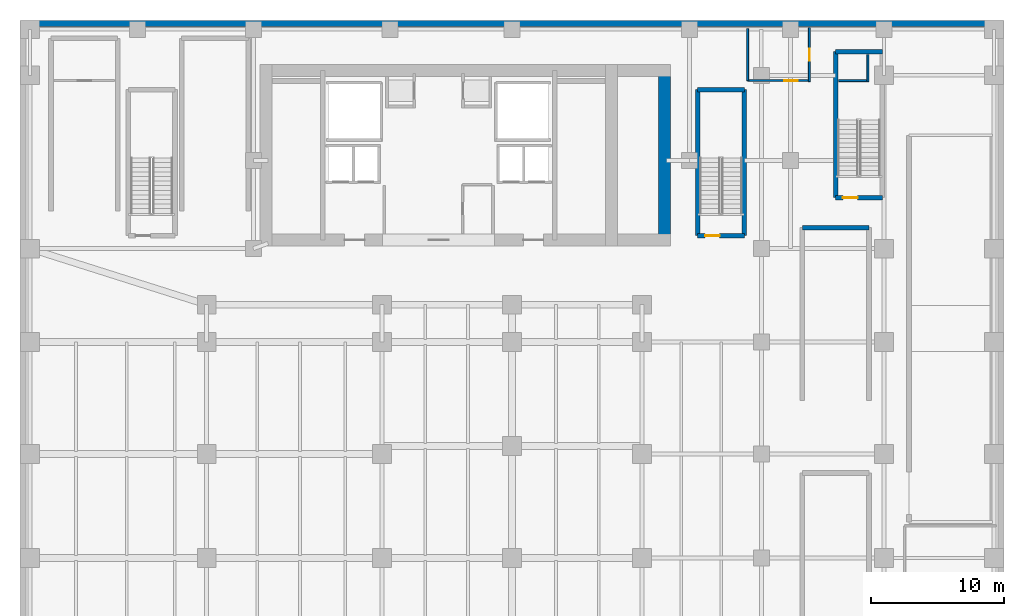
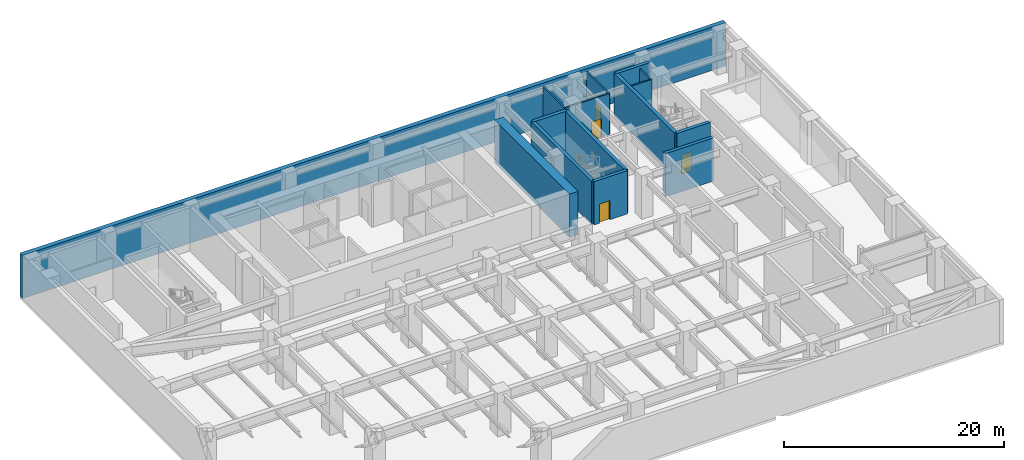
# One storey, part 5 of 9: 15 walls, 4 doors, 4 openings.
"""IFC4 building model written with IfcOpenShell, lengths in metres."""

from ifc_helpers import new_model, si_unit, direction, frame, frame_2d, origin, place, context, subcontext, project, spatial, rectangle, extrude, source, transform, mapped, material, layer, layer_set, type_object, type_shapes, element, fill, save


model = new_model("IFC4")

# Units and contexts
model_context = context("Model", 3, precision=1e-05, world=origin(), true_north=direction((0.0, 1.0)))
body_context = subcontext(model_context, "Body", "Model", "MODEL_VIEW")
ifc_project = project(units=[si_unit("LENGTHUNIT", "METRE"), si_unit("AREAUNIT", "SQUARE_METRE"), si_unit("VOLUMEUNIT", "CUBIC_METRE"), si_unit("PLANEANGLEUNIT", "RADIAN"), si_unit("MASSUNIT", "GRAM", prefix="KILO")], contexts=[model_context])

# Site, building, storey
site_placement = place(None, origin())
site = spatial("IfcSite", under=ifc_project, at=site_placement, CompositionType="ELEMENT")
building_placement = place(site_placement, origin())
building = spatial("IfcBuilding", under=site, at=building_placement, Name="Tolvann Quenvar Hotel", CompositionType="ELEMENT")
storey_placement = place(building_placement, frame((0.0, 0.0, -4.800048828125)))
storey = spatial("IfcBuildingStorey", under=building, at=storey_placement, Name="B01", CompositionType="ELEMENT", Elevation=-4.800048828125)

# Wall
ifc_material_1 = material(Name="Concrete S80 (80 MPa)", Category="concrete")
ifc_layer_1 = layer(ifc_material_1, 0.89990234375)
ifc_layer_set_1 = layer_set([ifc_layer_1], Name="Concrete S80 (80 MPa)")
wall_type_1 = type_object("IfcWallType", Name="WALL_CORE_900", PredefinedType="SHEAR", material=ifc_layer_set_1)
wall_1_placement = place(storey_placement, frame((39.949951171875, 31.60009765625, 0.0), z_axis=(0.0, 0.0, 1.0), x_axis=(0.0, 1.0, 0.0)))
element("IfcWall", 1, at=wall_1_placement, inside=storey, type_object=wall_type_1, Name="Core East Annex Shear Wall ANN-E (B01)", PredefinedType="SHEAR", context=body_context, shape_type="SweptSolid", body=[
    extrude(rectangle(XDim=13.599853515625, YDim=0.89990234375, at=frame_2d((6.7998046875, 0.0))), origin(), (0.0, 0.0, 1.0), 4.800048828125),
])

# Wall, opening, door
ifc_material_2 = material(Name="Concrete S65 (65 MPa)", Category="concrete")
ifc_layer_2 = layer(ifc_material_2, 0.35009765625)
ifc_layer_set_2 = layer_set([ifc_layer_2], Name="Concrete S65 (65 MPa)")
wall_type_2 = type_object("IfcWallType", Name="WALL_CORE_INT_350", PredefinedType="SHEAR", material=ifc_layer_set_2)
wall_2_placement = place(storey_placement, frame((42.425048828125, 32.375, 0.0), z_axis=(0.0, 0.0, 1.0), x_axis=(1.0, 0.0, 0.0)))
wall_2 = element("IfcWall", 2, at=wall_2_placement, inside=storey, type_object=wall_type_2, Name="Stairwell ST-B2 Structural Shaft Wall S (B01)", PredefinedType="SHEAR", context=body_context, shape_type="SweptSolid", body=[
    extrude(rectangle(XDim=3.5, YDim=0.35009765625, at=frame_2d((1.75, 0.0))), origin(), (0.0, 0.0, 1.0), 4.800048828125),
])
opening_1_placement = place(wall_2_placement, frame((0.550048828125, 0.0, 0.0)))
opening_1 = element("IfcOpeningElement", 3, at=opening_1_placement, cuts=wall_2, Name="Opening FD-120", PredefinedType="OPENING", context=body_context, shape_type="SweptSolid", body=[
    extrude(rectangle(XDim=1.10009765625, YDim=2.1201171875, at=frame_2d((0.550048828125, 1.06005859375))), frame((0.0, 0.18505859375, 0.0), z_axis=(0.0, -1.0, 0.0), x_axis=(1.0, 0.0, 0.0)), (0.0, 0.0, 1.0), 0.3701171875),
])
ifc_material_3 = material(Name="Pressed galvanised steel fire-rated door set", Category="steel")
door_type_1 = type_object("IfcDoorType", Name="DOOR_FIRE_STAIR_1100", OperationType="NOTDEFINED", PredefinedType="DOOR", material=ifc_material_3)
shared_shape_1 = source(origin(), body_context, "Body", "SweptSolid", [
    extrude(rectangle(XDim=1.10009765625, YDim=2.1201171875, at=frame_2d((0.550048828125, 1.06005859375))), frame((0.0, 0.02490234375, 0.0), z_axis=(0.0, -1.0, 0.0), x_axis=(1.0, 0.0, 0.0)), (0.0, 0.0, 1.0), 0.050048828125),
])
type_shapes(door_type_1, [shared_shape_1])
door_1_placement = place(opening_1_placement, origin())
door_1 = element("IfcDoor", 4, at=door_1_placement, inside=storey, type_object=door_type_1, Name="Exit Stair ST-B2 Fire Door (B01)", OperationType="SINGLE_SWING_RIGHT", OverallHeight=2.1201171875, OverallWidth=1.10009765625, PredefinedType="DOOR", context=body_context, shape_type="MappedRepresentation", body=[
    mapped(shared_shape_1, transform((0.0, 0.0, 0.0), x_axis=(1.0, 0.0, 0.0), y_axis=(0.0, 1.0, 0.0), z_axis=(0.0, 0.0, 1.0), scale=1.0)),
])
fill(opening_1, door_1)

# Walls
wall_3_placement = place(storey_placement, frame((45.925048828125, 32.375, 0.0), z_axis=(0.0, 0.0, 1.0), x_axis=(0.0, 1.0, 0.0)))
element("IfcWall", 5, at=wall_3_placement, inside=storey, type_object=wall_type_2, Name="Stairwell ST-B2 Structural Shaft Wall E (B01)", PredefinedType="SHEAR", context=body_context, shape_type="SweptSolid", body=[
    extrude(rectangle(XDim=10.949951171875, YDim=0.35009765625, at=frame_2d((5.47509765625, 0.0))), origin(), (0.0, 0.0, 1.0), 4.800048828125),
])
wall_4_placement = place(storey_placement, frame((45.925048828125, 43.324951171875, 0.0), z_axis=(0.0, 0.0, 1.0), x_axis=(-1.0, 0.0, 0.0)))
element("IfcWall", 6, at=wall_4_placement, inside=storey, type_object=wall_type_2, Name="Stairwell ST-B2 Structural Shaft Wall N (B01)", PredefinedType="SHEAR", context=body_context, shape_type="SweptSolid", body=[
    extrude(rectangle(XDim=3.5, YDim=0.35009765625, at=frame_2d((1.75, 0.0))), origin(), (0.0, 0.0, 1.0), 4.800048828125),
])
wall_5_placement = place(storey_placement, frame((42.425048828125, 43.324951171875, 0.0), z_axis=(0.0, 0.0, 1.0), x_axis=(0.0, -1.0, 0.0)))
element("IfcWall", 7, at=wall_5_placement, inside=storey, type_object=wall_type_2, Name="Stairwell ST-B2 Structural Shaft Wall W (B01)", PredefinedType="SHEAR", context=body_context, shape_type="SweptSolid", body=[
    extrude(rectangle(XDim=10.949951171875, YDim=0.35009765625, at=frame_2d((5.47509765625, 0.0))), origin(), (0.0, 0.0, 1.0), 4.800048828125),
])

# Wall, opening, door
wall_6_placement = place(storey_placement, frame((52.77490234375, 35.22509765625, 0.0), z_axis=(0.0, 0.0, 1.0), x_axis=(1.0, 0.0, 0.0)))
wall_6 = element("IfcWall", 8, at=wall_6_placement, inside=storey, type_object=wall_type_2, Name="Stairwell ST-B3 Structural Shaft Wall S (B01)", PredefinedType="SHEAR", context=body_context, shape_type="SweptSolid", body=[
    extrude(rectangle(XDim=3.5, YDim=0.35009765625, at=frame_2d((1.75, 0.0))), origin(), (0.0, 0.0, 1.0), 4.800048828125),
])
opening_2_placement = place(wall_6_placement, frame((0.550048828125, 0.0, 0.0)))
opening_2 = element("IfcOpeningElement", 9, at=opening_2_placement, cuts=wall_6, Name="Opening FD-120", PredefinedType="OPENING", context=body_context, shape_type="SweptSolid", body=[
    extrude(rectangle(XDim=1.10009765625, YDim=2.1201171875, at=frame_2d((0.550048828125, 1.06005859375))), frame((0.0, 0.18505859375, 0.0), z_axis=(0.0, -1.0, 0.0), x_axis=(1.0, 0.0, 0.0)), (0.0, 0.0, 1.0), 0.3701171875),
])
door_2_placement = place(opening_2_placement, origin())
door_2 = element("IfcDoor", 10, at=door_2_placement, inside=storey, type_object=door_type_1, Name="Exit Stair ST-B3 Fire Door (B01)", OperationType="SINGLE_SWING_LEFT", OverallHeight=2.1201171875, OverallWidth=1.10009765625, PredefinedType="DOOR", context=body_context, shape_type="MappedRepresentation", body=[
    mapped(shared_shape_1, transform((0.0, 0.0, 0.0), x_axis=(1.0, 0.0, 0.0), y_axis=(0.0, 1.0, 0.0), z_axis=(0.0, 0.0, 1.0), scale=1.0)),
])
fill(opening_2, door_2)

# Walls
wall_7_placement = place(storey_placement, frame((56.27490234375, 46.175048828125, 0.0), z_axis=(0.0, 0.0, 1.0), x_axis=(-1.0, 0.0, 0.0)))
element("IfcWall", 11, at=wall_7_placement, inside=storey, type_object=wall_type_2, Name="Stairwell ST-B3 Structural Shaft Wall N (B01)", PredefinedType="SHEAR", context=body_context, shape_type="SweptSolid", body=[
    extrude(rectangle(XDim=3.5, YDim=0.35009765625, at=frame_2d((1.75, 0.0))), origin(), (0.0, 0.0, 1.0), 4.800048828125),
])
wall_8_placement = place(storey_placement, frame((52.77490234375, 46.175048828125, 0.0), z_axis=(0.0, 0.0, 1.0), x_axis=(0.0, -1.0, 0.0)))
element("IfcWall", 12, at=wall_8_placement, inside=storey, type_object=wall_type_2, Name="Stairwell ST-B3 Structural Shaft Wall W (B01)", PredefinedType="SHEAR", context=body_context, shape_type="SweptSolid", body=[
    extrude(rectangle(XDim=10.949951171875, YDim=0.35009765625, at=frame_2d((5.47509765625, 0.0))), origin(), (0.0, 0.0, 1.0), 4.800048828125),
])
wall_9_placement = place(storey_placement, frame((55.27490234375, 32.97509765625, 0.0), z_axis=(0.0, 0.0, 1.0), x_axis=(-1.0, 0.0, 0.0)))
element("IfcWall", 13, at=wall_9_placement, inside=storey, type_object=wall_type_2, Name="Stairwell ST-P4 Structural Shaft Wall N (B01)", PredefinedType="SHEAR", context=body_context, shape_type="SweptSolid", body=[
    extrude(rectangle(XDim=5.0, YDim=0.35009765625, at=frame_2d((2.5, 0.0))), origin(), (0.0, 0.0, 1.0), 4.800048828125),
])

# Wall, opening, door
ifc_material_4 = material(Name="Acoustic twin-stud fire-rated gypsum plasterboard partition")
ifc_layer_3 = layer(ifc_material_4, 0.14990234375)
ifc_layer_set_3 = layer_set([ifc_layer_3], Name="Acoustic twin-stud fire-rated gypsum plasterboard partition")
wall_type_3 = type_object("IfcWallType", Name="WALL_PART_SUITE_150", PredefinedType="PARTITIONING", material=ifc_layer_set_3)
wall_10_placement = place(storey_placement, frame((46.179931640625, 44.0, 0.0), z_axis=(0.0, 0.0, 1.0), x_axis=(1.0, 0.0, 0.0)))
wall_10 = element("IfcWall", 14, at=wall_10_placement, inside=storey, type_object=wall_type_3, Name="Interior Partition PT-SPC-B01-KIT-S", PredefinedType="PARTITIONING", context=body_context, shape_type="SweptSolid", body=[
    extrude(rectangle(XDim=4.6201171875, YDim=0.14990234375, at=frame_2d((2.31005859375, 0.0))), origin(), (0.0, 0.0, 1.0), 4.5400390625),
])
opening_3_placement = place(wall_10_placement, frame((2.75, 0.0, 0.0)))
opening_3 = element("IfcOpeningElement", 15, at=opening_3_placement, cuts=wall_10, Name="Opening HD-01", PredefinedType="OPENING", context=body_context, shape_type="SweptSolid", body=[
    extrude(rectangle(XDim=1.02001953125, YDim=2.030029296875, at=frame_2d((0.510009765625, 1.01513671875))), frame((0.0, 0.0849609375, 0.0), z_axis=(0.0, -1.0, 0.0), x_axis=(1.0, 0.0, 0.0)), (0.0, 0.0, 1.0), 0.169921875),
])
door_type_2 = type_object("IfcDoorType", Name="DOOR_BOH_1020", OperationType="NOTDEFINED", PredefinedType="DOOR", material=ifc_material_3)
shared_shape_2 = source(origin(), body_context, "Body", "SweptSolid", [
    extrude(rectangle(XDim=1.02001953125, YDim=2.030029296875, at=frame_2d((0.510009765625, 1.01513671875))), frame((0.0, 0.02490234375, 0.0), z_axis=(0.0, -1.0, 0.0), x_axis=(1.0, 0.0, 0.0)), (0.0, 0.0, 1.0), 0.050048828125),
])
type_shapes(door_type_2, [shared_shape_2])
door_3_placement = place(opening_3_placement, origin())
door_3 = element("IfcDoor", 16, at=door_3_placement, inside=storey, type_object=door_type_2, Name="Interior Door DOOR-SPC-B01-KIT", OperationType="SINGLE_SWING_LEFT", OverallHeight=2.030029296875, OverallWidth=1.02001953125, PredefinedType="DOOR", context=body_context, shape_type="MappedRepresentation", body=[
    mapped(shared_shape_2, transform((0.0, 0.0, 0.0), x_axis=(1.0, 0.0, 0.0), y_axis=(0.0, 1.0, 0.0), z_axis=(0.0, 0.0, 1.0), scale=1.0)),
])
fill(opening_3, door_3)

# Wall
wall_11_placement = place(storey_placement, frame((46.179931640625, 44.0, 0.0), z_axis=(0.0, 0.0, 1.0), x_axis=(0.0, 1.0, 0.0)))
element("IfcWall", 17, at=wall_11_placement, inside=storey, type_object=wall_type_3, Name="Interior Partition PT-SPC-B01-KIT-W", PredefinedType="PARTITIONING", context=body_context, shape_type="SweptSolid", body=[
    extrude(rectangle(XDim=3.89990234375, YDim=0.14990234375, at=frame_2d((1.949951171875, 0.0))), origin(), (0.0, 0.0, 1.0), 4.5400390625),
])

# Wall, opening, door
wall_12_placement = place(storey_placement, frame((50.800048828125, 43.929931640625, 0.0), z_axis=(0.0, 0.0, 1.0), x_axis=(0.0, 1.0, 0.0)))
wall_12 = element("IfcWall", 18, at=wall_12_placement, inside=storey, type_object=wall_type_3, Name="Interior Partition PT-SPC-B01-KIT-E", PredefinedType="PARTITIONING", context=body_context, shape_type="SweptSolid", body=[
    extrude(rectangle(XDim=4.0400390625, YDim=0.14990234375, at=frame_2d((2.02001953125, 0.0))), origin(), (0.0, 0.0, 1.0), 4.5400390625),
])
opening_4_placement = place(wall_12_placement, frame((1.56005859375, 0.0, 0.0)))
opening_4 = element("IfcOpeningElement", 19, at=opening_4_placement, cuts=wall_12, Name="Opening WD-01", PredefinedType="OPENING", context=body_context, shape_type="SweptSolid", body=[
    extrude(rectangle(XDim=0.919921875, YDim=2.010009765625, at=frame_2d((0.4599609375, 1.0048828125))), frame((0.0, 0.0849609375, 0.0), z_axis=(0.0, -1.0, 0.0), x_axis=(1.0, 0.0, 0.0)), (0.0, 0.0, 1.0), 0.169921875),
])
ifc_material_5 = material(Name="Solid-core American oak acoustic fire door leaf in steel frame", Category="steel")
door_type_3 = type_object("IfcDoorType", Name="DOOR_WC_920", OperationType="NOTDEFINED", PredefinedType="DOOR", material=ifc_material_5)
shared_shape_3 = source(origin(), body_context, "Body", "SweptSolid", [
    extrude(rectangle(XDim=0.919921875, YDim=2.010009765625, at=frame_2d((0.4599609375, 1.0048828125))), frame((0.0, 0.02490234375, 0.0), z_axis=(0.0, -1.0, 0.0), x_axis=(1.0, 0.0, 0.0)), (0.0, 0.0, 1.0), 0.050048828125),
])
type_shapes(door_type_3, [shared_shape_3])
door_4_placement = place(opening_4_placement, origin())
door_4 = element("IfcDoor", 20, at=door_4_placement, inside=storey, type_object=door_type_3, Name="Interior Door DOOR-SPC-B01-WC", OperationType="SINGLE_SWING_RIGHT", OverallHeight=2.010009765625, OverallWidth=0.919921875, PredefinedType="DOOR", context=body_context, shape_type="MappedRepresentation", body=[
    mapped(shared_shape_3, transform((0.0, 0.0, 0.0), x_axis=(1.0, 0.0, 0.0), y_axis=(0.0, 1.0, 0.0), z_axis=(0.0, 0.0, 1.0), scale=1.0)),
])
fill(opening_4, door_4)

# Walls
wall_13_placement = place(storey_placement, frame((53.0048828125, 44.0, 0.0), z_axis=(0.0, 0.0, 1.0), x_axis=(1.0, 0.0, 0.0)))
element("IfcWall", 21, at=wall_13_placement, inside=storey, type_object=wall_type_3, Name="Interior Partition PT-SPC-B01-WC-S", PredefinedType="PARTITIONING", context=body_context, shape_type="SweptSolid", body=[
    extrude(rectangle(XDim=2.26513671875, YDim=0.14990234375, at=frame_2d((1.132568359375, 0.0))), origin(), (0.0, 0.0, 1.0), 4.5400390625),
])
wall_14_placement = place(storey_placement, frame((55.199951171875, 43.929931640625, 0.0), z_axis=(0.0, 0.0, 1.0), x_axis=(0.0, 1.0, 0.0)))
element("IfcWall", 22, at=wall_14_placement, inside=storey, type_object=wall_type_3, Name="Interior Partition PT-SPC-B01-WC-E", PredefinedType="PARTITIONING", context=body_context, shape_type="SweptSolid", body=[
    extrude(rectangle(XDim=2.01513671875, YDim=0.14990234375, at=frame_2d((1.007568359375, 0.0))), origin(), (0.0, 0.0, 1.0), 4.5400390625),
])
ifc_material_6 = material(Name="Concrete N50 (50 MPa)", Category="concrete")
ifc_layer_4 = layer(ifc_material_6, 0.449951171875)
ifc_layer_set_4 = layer_set([ifc_layer_4], Name="Concrete N50 (50 MPa)")
wall_type_4 = type_object("IfcWallType", Name="WALL_RET_450", PredefinedType="SOLIDWALL", material=ifc_layer_set_4)
wall_15_placement = place(storey_placement, frame((-8.39990234375, 48.27490234375, 0.0), z_axis=(0.0, 0.0, 1.0), x_axis=(1.0, 0.0, 0.0)))
element("IfcWall", 23, at=wall_15_placement, inside=storey, type_object=wall_type_4, Name="Basement Perimeter Retaining Wall N (B01)", PredefinedType="SOLIDWALL", context=body_context, shape_type="SweptSolid", body=[
    extrude(rectangle(XDim=73.7998046875, YDim=0.449951171875, at=frame_2d((36.89990234375, 0.0))), origin(), (0.0, 0.0, 1.0), 4.800048828125),
])

save(model, "model.ifc")
